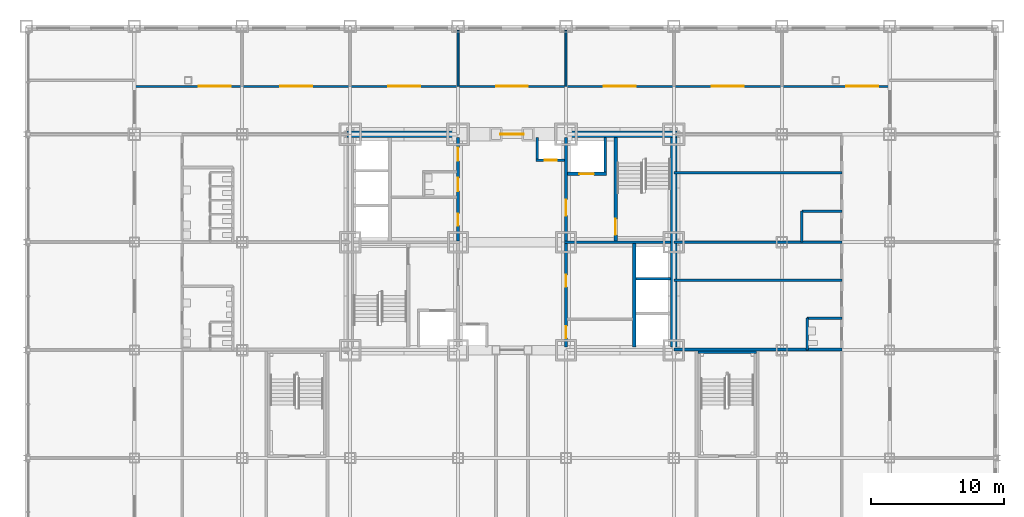
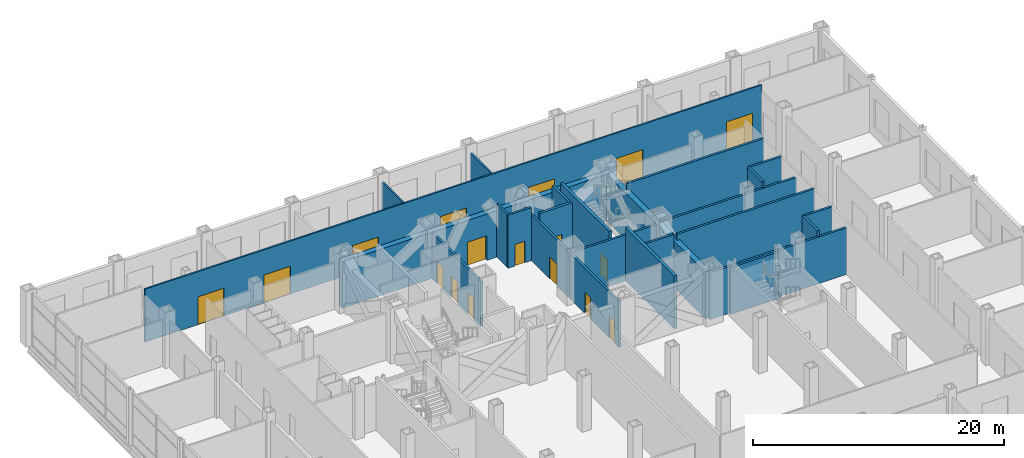
# One storey, part 24 of 30: 25 walls, 17 doors, 17 openings.
"""IFC4 building model written with IfcOpenShell, lengths in metres."""

from ifc_helpers import new_model, si_unit, direction, frame, frame_2d, origin, place, context, subcontext, project, spatial, rectangle, extrude, material, layer, layer_set, type_object, element, fill, save


model = new_model("IFC4")

# Units and contexts
model_context = context("Model", 3, precision=1e-05, world=origin(), true_north=direction((0.0, 1.0)))
body_context = subcontext(model_context, "Body", "Model", "MODEL_VIEW")
ifc_project = project(units=[si_unit("LENGTHUNIT", "METRE"), si_unit("AREAUNIT", "SQUARE_METRE"), si_unit("VOLUMEUNIT", "CUBIC_METRE"), si_unit("PLANEANGLEUNIT", "RADIAN"), si_unit("MASSUNIT", "GRAM", prefix="KILO")], contexts=[model_context])

# Site, building, storey
site_placement = place(None, origin())
site = spatial("IfcSite", under=ifc_project, at=site_placement, CompositionType="ELEMENT")
building_placement = place(site_placement, origin())
building = spatial("IfcBuilding", under=site, at=building_placement, Name="Kopane Lantern Tower", CompositionType="ELEMENT")
storey_placement = place(building_placement, frame((0.0, 0.0, 6.0)))
storey = spatial("IfcBuildingStorey", under=building, at=storey_placement, Name="L01", CompositionType="ELEMENT", Elevation=6.0)

# Wall, opening, door
ifc_material_1 = material(Name="Gypsum shaft wall EI 120", Category="gypsum")
ifc_layer_1 = layer(ifc_material_1, 0.5)
ifc_layer_set_1 = layer_set([ifc_layer_1], Name="CORE PERIMETER WALL 500 EI 120")
wall_type_1 = type_object("IfcWallType", Name="CORE PERIMETER WALL 500 EI 120", PredefinedType="SOLIDWALL", material=ifc_layer_set_1)
wall_1_placement = place(storey_placement, frame((15.949951171875, 40.5, 0.0), z_axis=(0.0, 0.0, 1.0), x_axis=(1.0, 0.0, 0.0)))
wall_1 = element("IfcWall", 1, at=wall_1_placement, inside=storey, type_object=wall_type_1, Name="Core shaft wall L01 PN", PredefinedType="SOLIDWALL", context=body_context, shape_type="SweptSolid", body=[
    extrude(rectangle(XDim=24.800048828125, YDim=0.5, at=frame_2d((12.39990234375, 0.0))), origin(), (0.0, 0.0, 1.0), 4.5),
])
opening_1_placement = place(wall_1_placement, frame((11.5, 0.0, 0.0)))
opening_1 = element("IfcOpeningElement", 2, at=opening_1_placement, cuts=wall_1, Name="Opening 01.CE-N", PredefinedType="OPENING", context=body_context, shape_type="SweptSolid", body=[
    extrude(rectangle(XDim=1.800048828125, YDim=2.39990234375, at=frame_2d((0.89990234375, 1.199951171875))), frame((0.0, 0.260009765625, 0.0), z_axis=(0.0, -1.0, 0.0), x_axis=(1.0, 0.0, 0.0)), (0.0, 0.0, 1.0), 0.52001953125),
])
ifc_material_2 = material(Name="Steel door set", Category="steel")
door_type_1 = type_object("IfcDoorType", Name="CORE ENTRY DOOR 1800x2400 FD60S", OperationType="DOUBLE_DOOR_SINGLE_SWING", PredefinedType="DOOR", material=ifc_material_2)
door_1_placement = place(opening_1_placement, origin())
door_1 = element("IfcDoor", 3, at=door_1_placement, inside=storey, type_object=door_type_1, Name="Core entry door L01 north", OperationType="DOUBLE_DOOR_SINGLE_SWING", OverallHeight=2.39990234375, OverallWidth=1.800048828125, PredefinedType="DOOR", context=body_context, shape_type="SweptSolid", body=[
    extrude(rectangle(XDim=1.800048828125, YDim=2.39990234375, at=frame_2d((0.89990234375, 1.199951171875))), frame((0.0, 0.02490234375, 0.0), z_axis=(0.0, -1.0, 0.0), x_axis=(1.0, 0.0, 0.0)), (0.0, 0.0, 1.0), 0.050048828125),
])
fill(opening_1, door_1)

# Wall
wall_2_placement = place(storey_placement, frame((40.5, 24.550048828125, 0.0), z_axis=(0.0, 0.0, 1.0), x_axis=(0.0, 1.0, 0.0)))
element("IfcWall", 4, at=wall_2_placement, inside=storey, type_object=wall_type_1, Name="Core shaft wall L01 PE", PredefinedType="SOLIDWALL", context=body_context, shape_type="SweptSolid", body=[
    extrude(rectangle(XDim=15.699951171875, YDim=0.5, at=frame_2d((7.85009765625, 0.0))), origin(), (0.0, 0.0, 1.0), 4.537841796875),
])

# Wall, openings, doors
ifc_material_3 = material(Name="Gypsum partition EI 60", Category="gypsum")
ifc_layer_2 = layer(ifc_material_3, 0.199951171875)
ifc_layer_set_2 = layer_set([ifc_layer_2], Name="CORE ROOM WALL 200 EI 60")
wall_type_2 = type_object("IfcWallType", Name="CORE ROOM WALL 200 EI 60", PredefinedType="PARTITIONING", material=ifc_layer_set_2)
wall_3_placement = place(storey_placement, frame((24.300048828125, 32.5, 0.0), z_axis=(0.0, 0.0, 1.0), x_axis=(0.0, 1.0, 0.0)))
wall_3 = element("IfcWall", 5, at=wall_3_placement, inside=storey, type_object=wall_type_2, Name="Core room wall L01 XW", PredefinedType="PARTITIONING", context=body_context, shape_type="SweptSolid", body=[
    extrude(rectangle(XDim=7.75, YDim=0.199951171875, at=frame_2d((3.875, 0.0))), origin(), (0.0, 0.0, 1.0), 4.449951171875),
])
opening_2_placement = place(wall_3_placement, frame((1.14990234375, 0.0, 0.0)))
opening_2 = element("IfcOpeningElement", 6, at=opening_2_placement, cuts=wall_3, Name="Opening 01.C30", PredefinedType="OPENING", context=body_context, shape_type="SweptSolid", body=[
    extrude(rectangle(XDim=0.89990234375, YDim=2.10009765625, at=frame_2d((0.449951171875, 1.050048828125))), frame((0.0, 0.10986328125, 0.0), z_axis=(0.0, -1.0, 0.0), x_axis=(1.0, 0.0, 0.0)), (0.0, 0.0, 1.0), 0.219970703125),
])
opening_3_placement = place(wall_3_placement, frame((3.72509765625, 0.0, 0.0)))
opening_3 = element("IfcOpeningElement", 7, at=opening_3_placement, cuts=wall_3, Name="Opening 01.C31", PredefinedType="OPENING", context=body_context, shape_type="SweptSolid", body=[
    extrude(rectangle(XDim=1.0, YDim=2.10009765625, at=frame_2d((0.5, 1.050048828125))), frame((0.0, 0.10986328125, 0.0), z_axis=(0.0, -1.0, 0.0), x_axis=(1.0, 0.0, 0.0)), (0.0, 0.0, 1.0), 0.219970703125),
])
opening_4_placement = place(wall_3_placement, frame((6.0, 0.0, 0.0)))
opening_4 = element("IfcOpeningElement", 8, at=opening_4_placement, cuts=wall_3, Name="Opening 01.C32", PredefinedType="OPENING", context=body_context, shape_type="SweptSolid", body=[
    extrude(rectangle(XDim=1.0, YDim=2.10009765625, at=frame_2d((0.5, 1.050048828125))), frame((0.0, 0.10986328125, 0.0), z_axis=(0.0, -1.0, 0.0), x_axis=(1.0, 0.0, 0.0)), (0.0, 0.0, 1.0), 0.219970703125),
])
ifc_material_4 = material(Name="Steel door set", Category="steel")
door_type_2 = type_object("IfcDoorType", Name="CORE ROOM DOOR 1000x2100 FD30S", OperationType="SINGLE_SWING_RIGHT", PredefinedType="DOOR", material=ifc_material_4)
door_2_placement = place(opening_3_placement, origin())
door_2 = element("IfcDoor", 9, at=door_2_placement, inside=storey, type_object=door_type_2, Name="Door Staff WC L01", OperationType="SINGLE_SWING_RIGHT", OverallHeight=2.10009765625, OverallWidth=1.0, PredefinedType="DOOR", context=body_context, shape_type="SweptSolid", body=[
    extrude(rectangle(XDim=1.0, YDim=2.10009765625, at=frame_2d((0.5, 1.050048828125))), frame((0.0, 0.02490234375, 0.0), z_axis=(0.0, -1.0, 0.0), x_axis=(1.0, 0.0, 0.0)), (0.0, 0.0, 1.0), 0.050048828125),
])
fill(opening_3, door_2)
door_3_placement = place(opening_4_placement, origin())
door_3 = element("IfcDoor", 10, at=door_3_placement, inside=storey, type_object=door_type_2, Name="Door Staff room L01", OperationType="SINGLE_SWING_LEFT", OverallHeight=2.10009765625, OverallWidth=1.0, PredefinedType="DOOR", context=body_context, shape_type="SweptSolid", body=[
    extrude(rectangle(XDim=1.0, YDim=2.10009765625, at=frame_2d((0.5, 1.050048828125))), frame((0.0, 0.02490234375, 0.0), z_axis=(0.0, -1.0, 0.0), x_axis=(1.0, 0.0, 0.0)), (0.0, 0.0, 1.0), 0.050048828125),
])
fill(opening_4, door_3)
ifc_material_5 = material(Name="Steel door set", Category="steel")
door_type_3 = type_object("IfcDoorType", Name="CORE ROOM DOOR 900x2100 FD60", OperationType="SINGLE_SWING_LEFT", PredefinedType="DOOR", material=ifc_material_5)
door_4_placement = place(opening_2_placement, origin())
door_4 = element("IfcDoor", 11, at=door_4_placement, inside=storey, type_object=door_type_3, Name="Door Retail store L01", OperationType="SINGLE_SWING_LEFT", OverallHeight=2.10009765625, OverallWidth=0.89990234375, PredefinedType="DOOR", context=body_context, shape_type="SweptSolid", body=[
    extrude(rectangle(XDim=0.89990234375, YDim=2.10009765625, at=frame_2d((0.449951171875, 1.050048828125))), frame((0.0, 0.02490234375, 0.0), z_axis=(0.0, -1.0, 0.0), x_axis=(1.0, 0.0, 0.0)), (0.0, 0.0, 1.0), 0.050048828125),
])
fill(opening_2, door_4)

wall_4_placement = place(storey_placement, frame((32.39990234375, 24.550048828125, 0.0), z_axis=(0.0, 0.0, 1.0), x_axis=(0.0, 1.0, 0.0)))
wall_4 = element("IfcWall", 12, at=wall_4_placement, inside=storey, type_object=wall_type_2, Name="Core room wall L01 XE", PredefinedType="PARTITIONING", context=body_context, shape_type="SweptSolid", body=[
    extrude(rectangle(XDim=7.75, YDim=0.199951171875, at=frame_2d((3.875, 0.0))), origin(), (0.0, 0.0, 1.0), 4.449951171875),
])
opening_5_placement = place(wall_4_placement, frame((0.64990234375, 0.0, 0.0)))
opening_5 = element("IfcOpeningElement", 13, at=opening_5_placement, cuts=wall_4, Name="Opening 01.C20", PredefinedType="OPENING", context=body_context, shape_type="SweptSolid", body=[
    extrude(rectangle(XDim=0.89990234375, YDim=2.10009765625, at=frame_2d((0.449951171875, 1.050048828125))), frame((0.0, 0.10986328125, 0.0), z_axis=(0.0, -1.0, 0.0), x_axis=(1.0, 0.0, 0.0)), (0.0, 0.0, 1.0), 0.219970703125),
])
opening_6_placement = place(wall_4_placement, frame((4.5, 0.0, 0.0)))
opening_6 = element("IfcOpeningElement", 14, at=opening_6_placement, cuts=wall_4, Name="Opening 01.C21", PredefinedType="OPENING", context=body_context, shape_type="SweptSolid", body=[
    extrude(rectangle(XDim=0.89990234375, YDim=2.10009765625, at=frame_2d((0.449951171875, 1.050048828125))), frame((0.0, 0.10986328125, 0.0), z_axis=(0.0, -1.0, 0.0), x_axis=(1.0, 0.0, 0.0)), (0.0, 0.0, 1.0), 0.219970703125),
])
door_5_placement = place(opening_5_placement, origin())
door_5 = element("IfcDoor", 15, at=door_5_placement, inside=storey, type_object=door_type_3, Name="Door Cleaner store L01", OperationType="SINGLE_SWING_LEFT", OverallHeight=2.10009765625, OverallWidth=0.89990234375, PredefinedType="DOOR", context=body_context, shape_type="SweptSolid", body=[
    extrude(rectangle(XDim=0.89990234375, YDim=2.10009765625, at=frame_2d((0.449951171875, 1.050048828125))), frame((0.0, 0.02490234375, 0.0), z_axis=(0.0, -1.0, 0.0), x_axis=(1.0, 0.0, 0.0)), (0.0, 0.0, 1.0), 0.050048828125),
])
fill(opening_5, door_5)
door_6_placement = place(opening_6_placement, origin())
door_6 = element("IfcDoor", 16, at=door_6_placement, inside=storey, type_object=door_type_3, Name="Door Retail store L01", OperationType="SINGLE_SWING_LEFT", OverallHeight=2.10009765625, OverallWidth=0.89990234375, PredefinedType="DOOR", context=body_context, shape_type="SweptSolid", body=[
    extrude(rectangle(XDim=0.89990234375, YDim=2.10009765625, at=frame_2d((0.449951171875, 1.050048828125))), frame((0.0, 0.02490234375, 0.0), z_axis=(0.0, -1.0, 0.0), x_axis=(1.0, 0.0, 0.0)), (0.0, 0.0, 1.0), 0.050048828125),
])
fill(opening_6, door_6)

# Wall
ifc_material_6 = material(Name="Gypsum shaft wall EI 120", Category="gypsum")
ifc_layer_3 = layer(ifc_material_6, 0.25)
ifc_layer_set_3 = layer_set([ifc_layer_3], Name="CORE SHAFT WALL 250 EI 120")
wall_type_3 = type_object("IfcWallType", Name="CORE SHAFT WALL 250 EI 120", PredefinedType="SOLIDWALL", material=ifc_layer_set_3)
wall_5_placement = place(storey_placement, frame((37.52490234375, 24.550048828125, 0.0), z_axis=(0.0, 0.0, 1.0), x_axis=(0.0, 1.0, 0.0)))
element("IfcWall", 17, at=wall_5_placement, inside=storey, type_object=wall_type_3, Name="Core shaft wall L01 XLR", PredefinedType="SOLIDWALL", context=body_context, shape_type="SweptSolid", body=[
    extrude(rectangle(XDim=7.75, YDim=0.25, at=frame_2d((3.875, 0.0))), origin(), (0.0, 0.0, 1.0), 5.14990234375),
])

# Wall, opening, door
wall_6_placement = place(storey_placement, frame((36.125, 32.5, 0.0), z_axis=(0.0, 0.0, 1.0), x_axis=(0.0, 1.0, 0.0)))
wall_6 = element("IfcWall", 18, at=wall_6_placement, inside=storey, type_object=wall_type_3, Name="Core shaft wall L01 XST2", PredefinedType="SOLIDWALL", context=body_context, shape_type="SweptSolid", body=[
    extrude(rectangle(XDim=7.75, YDim=0.25, at=frame_2d((3.875, 0.0))), origin(), (0.0, 0.0, 1.0), 5.14990234375),
])
opening_7_placement = place(wall_6_placement, frame((0.449951171875, 0.0, 0.0)))
opening_7 = element("IfcOpeningElement", 19, at=opening_7_placement, cuts=wall_6, Name="Opening 01.SD2", PredefinedType="OPENING", context=body_context, shape_type="SweptSolid", body=[
    extrude(rectangle(XDim=1.199951171875, YDim=2.10009765625, at=frame_2d((0.60009765625, 1.050048828125))), frame((0.0, 0.135009765625, 0.0), z_axis=(0.0, -1.0, 0.0), x_axis=(1.0, 0.0, 0.0)), (0.0, 0.0, 1.0), 0.27001953125),
])
ifc_material_7 = material(Name="Steel door set", Category="steel")
door_type_4 = type_object("IfcDoorType", Name="STAIR DOOR 1200x2100 FD60S", OperationType="SINGLE_SWING_LEFT", PredefinedType="DOOR", material=ifc_material_7)
door_7_placement = place(opening_7_placement, origin())
door_7 = element("IfcDoor", 20, at=door_7_placement, inside=storey, type_object=door_type_4, Name="Stair door ST2 L01", OperationType="SINGLE_SWING_RIGHT", OverallHeight=2.10009765625, OverallWidth=1.199951171875, PredefinedType="DOOR", context=body_context, shape_type="SweptSolid", body=[
    extrude(rectangle(XDim=1.199951171875, YDim=2.10009765625, at=frame_2d((0.60009765625, 1.050048828125))), frame((0.0, 0.02490234375, 0.0), z_axis=(0.0, -1.0, 0.0), x_axis=(1.0, 0.0, 0.0)), (0.0, 0.0, 1.0), 0.050048828125),
])
fill(opening_7, door_7)

wall_7_placement = place(storey_placement, frame((32.5, 37.52490234375, 0.0), z_axis=(0.0, 0.0, 1.0), x_axis=(1.0, 0.0, 0.0)))
wall_7 = element("IfcWall", 21, at=wall_7_placement, inside=storey, type_object=wall_type_3, Name="Core shaft wall L01 YLF2", PredefinedType="SOLIDWALL", context=body_context, shape_type="SweptSolid", body=[
    extrude(rectangle(XDim=2.949951171875, YDim=0.25, at=frame_2d((1.47509765625, 0.0))), origin(), (0.0, 0.0, 1.0), 5.14990234375),
])
opening_8_placement = place(wall_7_placement, frame((0.89990234375, 0.0, 0.0)))
opening_8 = element("IfcOpeningElement", 22, at=opening_8_placement, cuts=wall_7, Name="Opening 01.LD-LF2", PredefinedType="OPENING", context=body_context, shape_type="SweptSolid", body=[
    extrude(rectangle(XDim=1.10009765625, YDim=2.39990234375, at=frame_2d((0.550048828125, 1.199951171875))), frame((0.0, 0.135009765625, 0.0), z_axis=(0.0, -1.0, 0.0), x_axis=(1.0, 0.0, 0.0)), (0.0, 0.0, 1.0), 0.27001953125),
])
ifc_material_8 = material(Name="Steel door set", Category="steel")
door_type_5 = type_object("IfcDoorType", Name="LIFT LANDING DOOR 1100x2400 FD60", OperationType="DOUBLE_DOOR_SLIDING", PredefinedType="DOOR", material=ifc_material_8)
door_8_placement = place(opening_8_placement, origin())
door_8 = element("IfcDoor", 23, at=door_8_placement, inside=storey, type_object=door_type_5, Name="Landing door LF2 L01", OperationType="DOUBLE_DOOR_SLIDING", OverallHeight=2.39990234375, OverallWidth=1.10009765625, PredefinedType="DOOR", context=body_context, shape_type="SweptSolid", body=[
    extrude(rectangle(XDim=1.10009765625, YDim=2.39990234375, at=frame_2d((0.550048828125, 1.199951171875))), frame((0.0, 0.02490234375, 0.0), z_axis=(0.0, -1.0, 0.0), x_axis=(1.0, 0.0, 0.0)), (0.0, 0.0, 1.0), 0.050048828125),
])
fill(opening_8, door_8)

# Wall, openings, doors
ifc_material_9 = material(Name="Gypsum board on steel studs", Category="steel")
ifc_layer_4 = layer(ifc_material_9, 0.14990234375)
ifc_layer_set_4 = layer_set([ifc_layer_4], Name="CORRIDOR WALL 150 EI 60")
wall_type_4 = type_object("IfcWallType", Name="CORRIDOR WALL 150 EI 60", PredefinedType="PARTITIONING", material=ifc_layer_set_4)
wall_8_placement = place(storey_placement, frame((0.0, 44.10009765625, 0.0), z_axis=(0.0, 0.0, 1.0), x_axis=(1.0, 0.0, 0.0)))
wall_8 = element("IfcWall", 24, at=wall_8_placement, inside=storey, type_object=wall_type_4, Name="Corridor Wall 150 Ei 60 L01", PredefinedType="PARTITIONING", context=body_context, shape_type="SweptSolid", body=[
    extrude(rectangle(XDim=56.699951171875, YDim=0.14990234375, at=frame_2d((28.35009765625, 0.0))), origin(), (0.0, 0.0, 1.0), 5.14990234375),
])
opening_9_placement = place(wall_8_placement, frame((10.949951171875, 0.0, 0.0)))
opening_9 = element("IfcOpeningElement", 25, at=opening_9_placement, cuts=wall_8, Name="Opening L01-020", PredefinedType="OPENING", context=body_context, shape_type="SweptSolid", body=[
    extrude(rectangle(XDim=2.39990234375, YDim=2.699951171875, at=frame_2d((1.199951171875, 1.35009765625))), frame((0.0, 0.0849609375, 0.0), z_axis=(0.0, -1.0, 0.0), x_axis=(1.0, 0.0, 0.0)), (0.0, 0.0, 1.0), 0.169921875),
])
opening_10_placement = place(wall_8_placement, frame((19.050048828125, 0.0, 0.0)))
opening_10 = element("IfcOpeningElement", 26, at=opening_10_placement, cuts=wall_8, Name="Opening L01-021", PredefinedType="OPENING", context=body_context, shape_type="SweptSolid", body=[
    extrude(rectangle(XDim=2.39990234375, YDim=2.699951171875, at=frame_2d((1.199951171875, 1.35009765625))), frame((0.0, 0.0849609375, 0.0), z_axis=(0.0, -1.0, 0.0), x_axis=(1.0, 0.0, 0.0)), (0.0, 0.0, 1.0), 0.169921875),
])
opening_11_placement = place(wall_8_placement, frame((27.14990234375, 0.0, 0.0)))
opening_11 = element("IfcOpeningElement", 27, at=opening_11_placement, cuts=wall_8, Name="Opening L01-022", PredefinedType="OPENING", context=body_context, shape_type="SweptSolid", body=[
    extrude(rectangle(XDim=2.39990234375, YDim=2.699951171875, at=frame_2d((1.199951171875, 1.35009765625))), frame((0.0, 0.0849609375, 0.0), z_axis=(0.0, -1.0, 0.0), x_axis=(1.0, 0.0, 0.0)), (0.0, 0.0, 1.0), 0.169921875),
])
opening_12_placement = place(wall_8_placement, frame((35.25, 0.0, 0.0)))
opening_12 = element("IfcOpeningElement", 28, at=opening_12_placement, cuts=wall_8, Name="Opening L01-023", PredefinedType="OPENING", context=body_context, shape_type="SweptSolid", body=[
    extrude(rectangle(XDim=2.39990234375, YDim=2.699951171875, at=frame_2d((1.199951171875, 1.35009765625))), frame((0.0, 0.0849609375, 0.0), z_axis=(0.0, -1.0, 0.0), x_axis=(1.0, 0.0, 0.0)), (0.0, 0.0, 1.0), 0.169921875),
])
opening_13_placement = place(wall_8_placement, frame((43.35009765625, 0.0, 0.0)))
opening_13 = element("IfcOpeningElement", 29, at=opening_13_placement, cuts=wall_8, Name="Opening L01-024", PredefinedType="OPENING", context=body_context, shape_type="SweptSolid", body=[
    extrude(rectangle(XDim=2.39990234375, YDim=2.699951171875, at=frame_2d((1.199951171875, 1.35009765625))), frame((0.0, 0.0849609375, 0.0), z_axis=(0.0, -1.0, 0.0), x_axis=(1.0, 0.0, 0.0)), (0.0, 0.0, 1.0), 0.169921875),
])
opening_14_placement = place(wall_8_placement, frame((53.449951171875, 0.0, 0.0)))
opening_14 = element("IfcOpeningElement", 30, at=opening_14_placement, cuts=wall_8, Name="Opening L01-039", PredefinedType="OPENING", context=body_context, shape_type="SweptSolid", body=[
    extrude(rectangle(XDim=2.39990234375, YDim=2.699951171875, at=frame_2d((1.199951171875, 1.35009765625))), frame((0.0, 0.0849609375, 0.0), z_axis=(0.0, -1.0, 0.0), x_axis=(1.0, 0.0, 0.0)), (0.0, 0.0, 1.0), 0.169921875),
])
opening_15_placement = place(wall_8_placement, frame((4.85009765625, 0.0, 0.0)))
opening_15 = element("IfcOpeningElement", 31, at=opening_15_placement, cuts=wall_8, Name="Opening L01-040", PredefinedType="OPENING", context=body_context, shape_type="SweptSolid", body=[
    extrude(rectangle(XDim=2.39990234375, YDim=2.699951171875, at=frame_2d((1.199951171875, 1.35009765625))), frame((0.0, 0.0849609375, 0.0), z_axis=(0.0, -1.0, 0.0), x_axis=(1.0, 0.0, 0.0)), (0.0, 0.0, 1.0), 0.169921875),
])
ifc_material_10 = material(Name="Timber door set", Category="wood")
door_type_6 = type_object("IfcDoorType", Name="DOOR D7 2400x2700 SHOPFRONT", OperationType="SINGLE_SWING_LEFT", PredefinedType="DOOR", material=ifc_material_10)
door_9_placement = place(opening_9_placement, origin())
door_9 = element("IfcDoor", 32, at=door_9_placement, inside=storey, type_object=door_type_6, Name="Door L01-020", OperationType="DOUBLE_DOOR_SINGLE_SWING", OverallHeight=2.699951171875, OverallWidth=2.39990234375, PredefinedType="DOOR", context=body_context, shape_type="SweptSolid", body=[
    extrude(rectangle(XDim=2.39990234375, YDim=2.699951171875, at=frame_2d((1.199951171875, 1.35009765625))), frame((0.0, 0.02490234375, 0.0), z_axis=(0.0, -1.0, 0.0), x_axis=(1.0, 0.0, 0.0)), (0.0, 0.0, 1.0), 0.050048828125),
])
fill(opening_9, door_9)
door_10_placement = place(opening_10_placement, origin())
door_10 = element("IfcDoor", 33, at=door_10_placement, inside=storey, type_object=door_type_6, Name="Door L01-021", OperationType="DOUBLE_DOOR_SINGLE_SWING", OverallHeight=2.699951171875, OverallWidth=2.39990234375, PredefinedType="DOOR", context=body_context, shape_type="SweptSolid", body=[
    extrude(rectangle(XDim=2.39990234375, YDim=2.699951171875, at=frame_2d((1.199951171875, 1.35009765625))), frame((0.0, 0.02490234375, 0.0), z_axis=(0.0, -1.0, 0.0), x_axis=(1.0, 0.0, 0.0)), (0.0, 0.0, 1.0), 0.050048828125),
])
fill(opening_10, door_10)
door_11_placement = place(opening_11_placement, origin())
door_11 = element("IfcDoor", 34, at=door_11_placement, inside=storey, type_object=door_type_6, Name="Door L01-022", OperationType="DOUBLE_DOOR_SINGLE_SWING", OverallHeight=2.699951171875, OverallWidth=2.39990234375, PredefinedType="DOOR", context=body_context, shape_type="SweptSolid", body=[
    extrude(rectangle(XDim=2.39990234375, YDim=2.699951171875, at=frame_2d((1.199951171875, 1.35009765625))), frame((0.0, 0.02490234375, 0.0), z_axis=(0.0, -1.0, 0.0), x_axis=(1.0, 0.0, 0.0)), (0.0, 0.0, 1.0), 0.050048828125),
])
fill(opening_11, door_11)
door_12_placement = place(opening_12_placement, origin())
door_12 = element("IfcDoor", 35, at=door_12_placement, inside=storey, type_object=door_type_6, Name="Door L01-023", OperationType="DOUBLE_DOOR_SINGLE_SWING", OverallHeight=2.699951171875, OverallWidth=2.39990234375, PredefinedType="DOOR", context=body_context, shape_type="SweptSolid", body=[
    extrude(rectangle(XDim=2.39990234375, YDim=2.699951171875, at=frame_2d((1.199951171875, 1.35009765625))), frame((0.0, 0.02490234375, 0.0), z_axis=(0.0, -1.0, 0.0), x_axis=(1.0, 0.0, 0.0)), (0.0, 0.0, 1.0), 0.050048828125),
])
fill(opening_12, door_12)
door_13_placement = place(opening_13_placement, origin())
door_13 = element("IfcDoor", 36, at=door_13_placement, inside=storey, type_object=door_type_6, Name="Door L01-024", OperationType="DOUBLE_DOOR_SINGLE_SWING", OverallHeight=2.699951171875, OverallWidth=2.39990234375, PredefinedType="DOOR", context=body_context, shape_type="SweptSolid", body=[
    extrude(rectangle(XDim=2.39990234375, YDim=2.699951171875, at=frame_2d((1.199951171875, 1.35009765625))), frame((0.0, 0.02490234375, 0.0), z_axis=(0.0, -1.0, 0.0), x_axis=(1.0, 0.0, 0.0)), (0.0, 0.0, 1.0), 0.050048828125),
])
fill(opening_13, door_13)
door_14_placement = place(opening_14_placement, origin())
door_14 = element("IfcDoor", 37, at=door_14_placement, inside=storey, type_object=door_type_6, Name="Door L01-039", OperationType="DOUBLE_DOOR_SINGLE_SWING", OverallHeight=2.699951171875, OverallWidth=2.39990234375, PredefinedType="DOOR", context=body_context, shape_type="SweptSolid", body=[
    extrude(rectangle(XDim=2.39990234375, YDim=2.699951171875, at=frame_2d((1.199951171875, 1.35009765625))), frame((0.0, 0.02490234375, 0.0), z_axis=(0.0, -1.0, 0.0), x_axis=(1.0, 0.0, 0.0)), (0.0, 0.0, 1.0), 0.050048828125),
])
fill(opening_14, door_14)
door_15_placement = place(opening_15_placement, origin())
door_15 = element("IfcDoor", 38, at=door_15_placement, inside=storey, type_object=door_type_6, Name="Door L01-040", OperationType="DOUBLE_DOOR_SINGLE_SWING", OverallHeight=2.699951171875, OverallWidth=2.39990234375, PredefinedType="DOOR", context=body_context, shape_type="SweptSolid", body=[
    extrude(rectangle(XDim=2.39990234375, YDim=2.699951171875, at=frame_2d((1.199951171875, 1.35009765625))), frame((0.0, 0.02490234375, 0.0), z_axis=(0.0, -1.0, 0.0), x_axis=(1.0, 0.0, 0.0)), (0.0, 0.0, 1.0), 0.050048828125),
])
fill(opening_15, door_15)

# Walls
ifc_material_11 = material(Name="Gypsum board on steel studs", Category="steel")
ifc_layer_5 = layer(ifc_material_11, 0.14990234375)
ifc_layer_set_5 = layer_set([ifc_layer_5], Name="DEMISING WALL 150 EI 60")
wall_type_5 = type_object("IfcWallType", Name="DEMISING WALL 150 EI 60", PredefinedType="PARTITIONING", material=ifc_layer_set_5)
for number, where, z_axis, x_axis, name in (
    (39, (24.300048828125, 44.10009765625, 0.0), (0.0, 0.0, 1.0), (0.0, 1.0, 0.0), "Demising Wall 150 Ei 60 L01"),
    (40, (32.39990234375, 44.10009765625, 0.0), (0.0, 0.0, 1.0), (0.0, 1.0, 0.0), "Demising Wall 150 Ei 60 L01"),
):
    element("IfcWall", number, at=place(storey_placement, frame(where, z_axis=z_axis, x_axis=x_axis)), inside=storey, type_object=wall_type_5, Name=name, PredefinedType="PARTITIONING", context=body_context, shape_type="SweptSolid", body=[
        extrude(rectangle(XDim=4.199951171875, YDim=0.14990234375, at=frame_2d((2.10009765625, 0.0))), origin(), (0.0, 0.0, 1.0), 4.537841796875),
    ])
ifc_material_12 = material(Name="Concrete masonry", Category="masonry")
ifc_layer_6 = layer(ifc_material_12, 0.199951171875)
ifc_layer_set_6 = layer_set([ifc_layer_6], Name="PLANT ROOM WALL 200 EI 120")
wall_type_6 = type_object("IfcWallType", Name="PLANT ROOM WALL 200 EI 120", PredefinedType="SOLIDWALL", material=ifc_layer_set_6)
wall_9_placement = place(storey_placement, frame((40.5, 32.39990234375, 0.0), z_axis=(0.0, 0.0, 1.0), x_axis=(1.0, 0.0, 0.0)))
element("IfcWall", 41, at=wall_9_placement, inside=storey, type_object=wall_type_6, Name="Plant Room Wall 200 Ei 120 L01", PredefinedType="SOLIDWALL", context=body_context, shape_type="SweptSolid", body=[
    extrude(rectangle(XDim=12.60009765625, YDim=0.199951171875, at=frame_2d((6.300048828125, 0.0))), origin(), (0.0, 0.0, 1.0), 4.537841796875),
])
wall_10_placement = place(storey_placement, frame((53.10009765625, 26.699951171875, 0.0), z_axis=(0.0, 0.0, 1.0), x_axis=(-1.0, 0.0, 0.0)))
element("IfcWall", 42, at=wall_10_placement, inside=storey, type_object=wall_type_6, Name="Plant Room Wall 200 Ei 120 L01", PredefinedType="SOLIDWALL", context=body_context, shape_type="SweptSolid", body=[
    extrude(rectangle(XDim=2.60009765625, YDim=0.199951171875, at=frame_2d((1.300048828125, 0.0))), origin(), (0.0, 0.0, 1.0), 5.14990234375),
])
wall_11_placement = place(storey_placement, frame((50.5, 24.300048828125, 0.0), z_axis=(0.0, 0.0, 1.0), x_axis=(0.0, 1.0, 0.0)))
element("IfcWall", 43, at=wall_11_placement, inside=storey, type_object=wall_type_6, Name="Plant Room Wall 200 Ei 120 L01", PredefinedType="SOLIDWALL", context=body_context, shape_type="SweptSolid", body=[
    extrude(rectangle(XDim=2.39990234375, YDim=0.199951171875, at=frame_2d((1.199951171875, 0.0))), origin(), (0.0, 0.0, 1.0), 5.14990234375),
])
wall_12_placement = place(storey_placement, frame((53.10009765625, 29.550048828125, 0.0), z_axis=(0.0, 0.0, 1.0), x_axis=(-1.0, 0.0, 0.0)))
element("IfcWall", 44, at=wall_12_placement, inside=storey, type_object=wall_type_6, Name="Plant Room Wall 200 Ei 120 L01", PredefinedType="SOLIDWALL", context=body_context, shape_type="SweptSolid", body=[
    extrude(rectangle(XDim=12.60009765625, YDim=0.199951171875, at=frame_2d((6.300048828125, 0.0))), origin(), (0.0, 0.0, 1.0), 5.14990234375),
])
wall_13_placement = place(storey_placement, frame((53.10009765625, 34.7333984375, 0.0), z_axis=(0.0, 0.0, 1.0), x_axis=(-1.0, 0.0, 0.0)))
element("IfcWall", 45, at=wall_13_placement, inside=storey, type_object=wall_type_6, Name="Plant Room Wall 200 Ei 120 L01", PredefinedType="SOLIDWALL", context=body_context, shape_type="SweptSolid", body=[
    extrude(rectangle(XDim=3.0, YDim=0.199951171875, at=frame_2d((1.5, 0.0))), origin(), (0.0, 0.0, 1.0), 5.14990234375),
])
wall_14_placement = place(storey_placement, frame((50.10009765625, 32.39990234375, 0.0), z_axis=(0.0, 0.0, 1.0), x_axis=(0.0, 1.0, 0.0)))
element("IfcWall", 46, at=wall_14_placement, inside=storey, type_object=wall_type_6, Name="Plant Room Wall 200 Ei 120 L01", PredefinedType="SOLIDWALL", context=body_context, shape_type="SweptSolid", body=[
    extrude(rectangle(XDim=2.33349609375, YDim=0.199951171875, at=frame_2d((1.166748046875, 0.0))), origin(), (0.0, 0.0, 1.0), 5.14990234375),
])
wall_15_placement = place(storey_placement, frame((53.10009765625, 37.61669921875, 0.0), z_axis=(0.0, 0.0, 1.0), x_axis=(-1.0, 0.0, 0.0)))
element("IfcWall", 47, at=wall_15_placement, inside=storey, type_object=wall_type_6, Name="Plant Room Wall 200 Ei 120 L01", PredefinedType="SOLIDWALL", context=body_context, shape_type="SweptSolid", body=[
    extrude(rectangle(XDim=12.60009765625, YDim=0.199951171875, at=frame_2d((6.300048828125, 0.0))), origin(), (0.0, 0.0, 1.0), 5.14990234375),
])
wall_16_placement = place(storey_placement, frame((40.5, 24.35009765625, 0.0), z_axis=(0.0, 0.0, 1.0), x_axis=(1.0, 0.0, 0.0)))
element("IfcWall", 48, at=wall_16_placement, inside=storey, type_object=wall_type_6, Name="Plant Room Wall 200 Ei 120 L01", PredefinedType="SOLIDWALL", context=body_context, shape_type="SweptSolid", body=[
    extrude(rectangle(XDim=12.60009765625, YDim=0.199951171875, at=frame_2d((6.300048828125, 0.0))), origin(), (0.0, 0.0, 1.0), 4.537841796875),
])
ifc_material_13 = material(Name="Gypsum shaft wall EI 120", Category="gypsum")
ifc_layer_7 = layer(ifc_material_13, 0.199951171875)
ifc_layer_set_7 = layer_set([ifc_layer_7], Name="SHAFT WALL 200 EI 120")
wall_type_7 = type_object("IfcWallType", Name="SHAFT WALL 200 EI 120", PredefinedType="SOLIDWALL", material=ifc_layer_set_7)
wall_17_placement = place(storey_placement, frame((32.300048828125, 32.39990234375, 0.0), z_axis=(0.0, 0.0, 1.0), x_axis=(1.0, 0.0, 0.0)))
element("IfcWall", 49, at=wall_17_placement, inside=storey, type_object=wall_type_7, Name="Core shaft wall L01 Y324E", PredefinedType="SOLIDWALL", context=body_context, shape_type="SweptSolid", body=[
    extrude(rectangle(XDim=7.949951171875, YDim=0.199951171875, at=frame_2d((3.97509765625, 0.0))), origin(), (0.0, 0.0, 1.0), 4.449951171875),
])

# Wall, opening, door
wall_18_placement = place(storey_placement, frame((32.39990234375, 32.5, 0.0), z_axis=(0.0, 0.0, 1.0), x_axis=(0.0, 1.0, 0.0)))
wall_18 = element("IfcWall", 50, at=wall_18_placement, inside=storey, type_object=wall_type_7, Name="Core shaft wall L01 X324", PredefinedType="SOLIDWALL", context=body_context, shape_type="SweptSolid", body=[
    extrude(rectangle(XDim=7.75, YDim=0.199951171875, at=frame_2d((3.875, 0.0))), origin(), (0.0, 0.0, 1.0), 4.449951171875),
])
opening_16_placement = place(wall_18_placement, frame((1.89990234375, 0.0, 0.0)))
opening_16 = element("IfcOpeningElement", 51, at=opening_16_placement, cuts=wall_18, Name="Opening 01.FL2", PredefinedType="OPENING", context=body_context, shape_type="SweptSolid", body=[
    extrude(rectangle(XDim=1.199951171875, YDim=2.10009765625, at=frame_2d((0.60009765625, 1.050048828125))), frame((0.0, 0.10986328125, 0.0), z_axis=(0.0, -1.0, 0.0), x_axis=(1.0, 0.0, 0.0)), (0.0, 0.0, 1.0), 0.219970703125),
])
ifc_material_14 = material(Name="Steel door set", Category="steel")
door_type_7 = type_object("IfcDoorType", Name="FIREFIGHTING LOBBY DOOR 1200x2100 FD60S", OperationType="SINGLE_SWING_RIGHT", PredefinedType="DOOR", material=ifc_material_14)
door_16_placement = place(opening_16_placement, origin())
door_16 = element("IfcDoor", 52, at=door_16_placement, inside=storey, type_object=door_type_7, Name="Firefighting lobby door FL2 L01", OperationType="SINGLE_SWING_LEFT", OverallHeight=2.10009765625, OverallWidth=1.199951171875, PredefinedType="DOOR", context=body_context, shape_type="SweptSolid", body=[
    extrude(rectangle(XDim=1.199951171875, YDim=2.10009765625, at=frame_2d((0.60009765625, 1.050048828125))), frame((0.0, 0.02490234375, 0.0), z_axis=(0.0, -1.0, 0.0), x_axis=(1.0, 0.0, 0.0)), (0.0, 0.0, 1.0), 0.050048828125),
])
fill(opening_16, door_16)

# Walls
for number, where, z_axis, x_axis, name in (
    (53, (37.64990234375, 29.64990234375, 0.0), (0.0, 0.0, 1.0), (1.0, 0.0, 0.0), "Core shaft wall L01 YLR23"),
    (54, (35.35009765625, 37.64990234375, 0.0), (0.0, 0.0, 1.0), (0.0, 1.0, 0.0), "Core shaft wall L01 XLF2"),
):
    element("IfcWall", number, at=place(storey_placement, frame(where, z_axis=z_axis, x_axis=x_axis)), inside=storey, type_object=wall_type_7, Name=name, PredefinedType="SOLIDWALL", context=body_context, shape_type="SweptSolid", body=[
        extrude(rectangle(XDim=2.60009765625, YDim=0.199951171875, at=frame_2d((1.300048828125, 0.0))), origin(), (0.0, 0.0, 1.0), 5.14990234375),
    ])
wall_19_placement = place(storey_placement, frame((30.25, 38.64990234375, 0.0), z_axis=(0.0, 0.0, 1.0), x_axis=(0.0, 1.0, 0.0)))
element("IfcWall", 55, at=wall_19_placement, inside=storey, type_object=wall_type_7, Name="Core shaft wall L01 XRS2", PredefinedType="SOLIDWALL", context=body_context, shape_type="SweptSolid", body=[
    extrude(rectangle(XDim=1.60009765625, YDim=0.199951171875, at=frame_2d((0.800048828125, 0.0))), origin(), (0.0, 0.0, 1.0), 5.14990234375),
])

# Wall, opening, door
wall_20_placement = place(storey_placement, frame((30.14990234375, 38.550048828125, 0.0), z_axis=(0.0, 0.0, 1.0), x_axis=(1.0, 0.0, 0.0)))
wall_20 = element("IfcWall", 56, at=wall_20_placement, inside=storey, type_object=wall_type_7, Name="Core shaft wall L01 YRS2", PredefinedType="SOLIDWALL", context=body_context, shape_type="SweptSolid", body=[
    extrude(rectangle(XDim=2.150146484375, YDim=0.199951171875, at=frame_2d((1.0751953125, 0.0))), origin(), (0.0, 0.0, 1.0), 5.14990234375),
])
opening_17_placement = place(wall_20_placement, frame((0.64990234375, 0.0, 0.0)))
opening_17 = element("IfcOpeningElement", 57, at=opening_17_placement, cuts=wall_20, Name="Opening 01.RS2", PredefinedType="OPENING", context=body_context, shape_type="SweptSolid", body=[
    extrude(rectangle(XDim=0.89990234375, YDim=2.10009765625, at=frame_2d((0.449951171875, 1.050048828125))), frame((0.0, 0.10986328125, 0.0), z_axis=(0.0, -1.0, 0.0), x_axis=(1.0, 0.0, 0.0)), (0.0, 0.0, 1.0), 0.219970703125),
])
ifc_material_15 = material(Name="Steel door set", Category="steel")
door_type_8 = type_object("IfcDoorType", Name="RISER ACCESS DOOR 900x2100 FD60", OperationType="SINGLE_SWING_LEFT", PredefinedType="DOOR", material=ifc_material_15)
door_17_placement = place(opening_17_placement, origin())
door_17 = element("IfcDoor", 58, at=door_17_placement, inside=storey, type_object=door_type_8, Name="Riser access door RS2 L01", OperationType="SINGLE_SWING_LEFT", OverallHeight=2.10009765625, OverallWidth=0.89990234375, PredefinedType="DOOR", context=body_context, shape_type="SweptSolid", body=[
    extrude(rectangle(XDim=0.89990234375, YDim=2.10009765625, at=frame_2d((0.449951171875, 1.050048828125))), frame((0.0, 0.02490234375, 0.0), z_axis=(0.0, -1.0, 0.0), x_axis=(1.0, 0.0, 0.0)), (0.0, 0.0, 1.0), 0.050048828125),
])
fill(opening_17, door_17)

# Wall
wall_21_placement = place(storey_placement, frame((42.300048828125, 24.14990234375, 0.0), z_axis=(0.0, 0.0, 1.0), x_axis=(1.0, 0.0, 0.0)))
element("IfcWall", 59, at=wall_21_placement, inside=storey, type_object=wall_type_7, Name="Stair enclosure wall ST4 L01", PredefinedType="SOLIDWALL", context=body_context, shape_type="SweptSolid", body=[
    extrude(rectangle(XDim=4.39990234375, YDim=0.199951171875, at=frame_2d((2.199951171875, 0.0))), origin(), (0.0, 0.0, 1.0), 4.537841796875),
])

save(model, "model.ifc")
